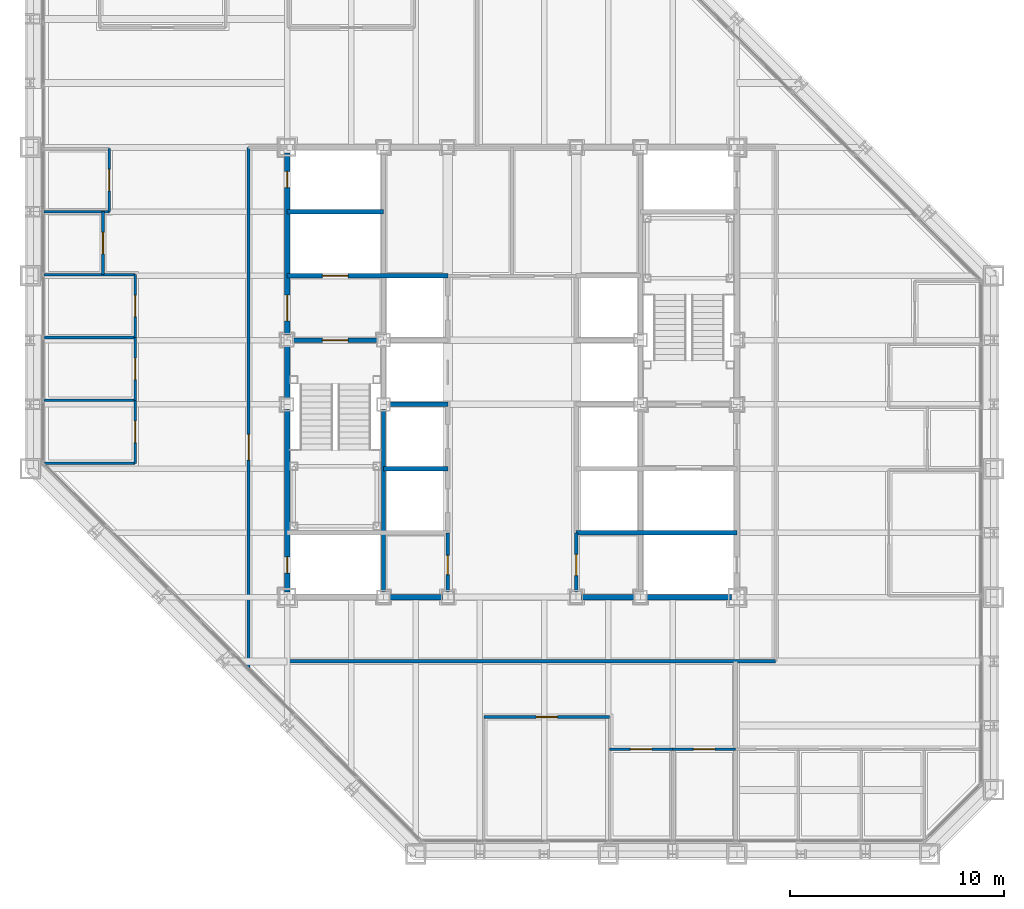
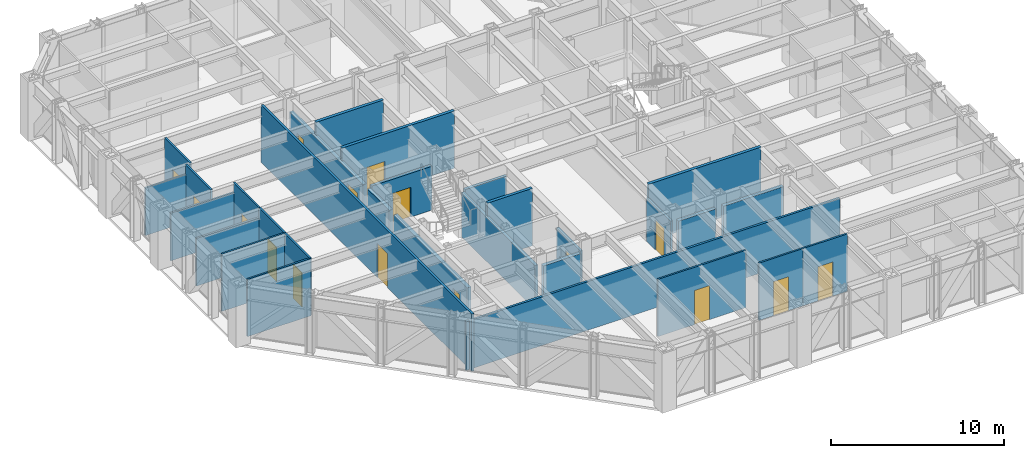
# One storey, part 10 of 16: 30 walls, 16 doors, 16 openings.
"""IFC4 building model written with IfcOpenShell, lengths in metres."""

from ifc_helpers import new_model, si_unit, direction, frame, frame_2d, origin, place, context, subcontext, project, spatial, rectangle, extrude, material, layer, layer_set, type_object, element, fill, save


model = new_model("IFC4")

# Units and contexts
model_context = context("Model", 3, precision=1e-05, world=origin(), true_north=direction((0.0, 1.0)))
body_context = subcontext(model_context, "Body", "Model", "MODEL_VIEW")
ifc_project = project(units=[si_unit("LENGTHUNIT", "METRE"), si_unit("AREAUNIT", "SQUARE_METRE"), si_unit("VOLUMEUNIT", "CUBIC_METRE"), si_unit("PLANEANGLEUNIT", "RADIAN"), si_unit("MASSUNIT", "GRAM", prefix="KILO")], contexts=[model_context])

# Site, building, storey
site_placement = place(None, origin())
site = spatial("IfcSite", under=ifc_project, at=site_placement, CompositionType="ELEMENT")
building_placement = place(site_placement, origin())
building = spatial("IfcBuilding", under=site, at=building_placement, Name="Chuquiago Exchange Tower", CompositionType="ELEMENT")
storey_placement = place(building_placement, frame((0.0, 0.0, 153.0)))
storey = spatial("IfcBuildingStorey", under=building, at=storey_placement, Name="L33", CompositionType="ELEMENT", Elevation=153.0)

# Wall, opening, door
ifc_material_1 = material(Name="Concrete masonry, fully grouted", Category="masonry")
ifc_layer_1 = layer(ifc_material_1, 0.25)
ifc_layer_set_1 = layer_set([ifc_layer_1], Name="W1 core wall 250")
wall_type_1 = type_object("IfcWallType", Name="W1 core wall 250", PredefinedType="SOLIDWALL", material=ifc_layer_set_1)
wall_1_placement = place(storey_placement, frame((12.0, 12.25, 0.0), z_axis=(0.0, 0.0, 1.0), x_axis=(0.0, 1.0, 0.0)))
wall_1 = element("IfcWall", 1, at=wall_1_placement, inside=storey, type_object=wall_type_1, Name="CW-L33-00-0", PredefinedType="SOLIDWALL", context=body_context, shape_type="SweptSolid", body=[
    extrude(rectangle(XDim=8.5, YDim=0.25, at=frame_2d((4.25, 0.0))), origin(), (0.0, 0.0, 1.0), 3.11279296875),
])
opening_1_placement = place(wall_1_placement, frame((0.875, 0.0, 0.0)))
opening_1 = element("IfcOpeningElement", 2, at=opening_1_placement, cuts=wall_1, Name="Opening L33-007", PredefinedType="OPENING", context=body_context, shape_type="SweptSolid", body=[
    extrude(rectangle(XDim=0.75, YDim=2.10009765625, at=frame_2d((0.375, 1.050048828125))), frame((0.0, 0.135009765625, 0.0), z_axis=(0.0, -1.0, 0.0), x_axis=(1.0, 0.0, 0.0)), (0.0, 0.0, 1.0), 0.27001953125),
])
ifc_material_2 = material(Name="Steel door, painted", Category="steel")
door_type_1 = type_object("IfcDoorType", Name="D6 riser access door 750x2100", OperationType="SINGLE_SWING_LEFT", PredefinedType="DOOR", material=ifc_material_2)
door_1_placement = place(opening_1_placement, frame((0.75, 0.0, 0.0), z_axis=(0.0, 0.0, 1.0), x_axis=(-1.0, 0.0, 0.0)))
door_1 = element("IfcDoor", 3, at=door_1_placement, inside=storey, type_object=door_type_1, Name="Riser RW1 door", OperationType="SINGLE_SWING_RIGHT", OverallHeight=2.10009765625, OverallWidth=0.75, PredefinedType="DOOR", context=body_context, shape_type="SweptSolid", body=[
    extrude(rectangle(XDim=0.75, YDim=2.10009765625, at=frame_2d((0.375, 1.050048828125))), frame((0.0, 0.02490234375, 0.0), z_axis=(0.0, -1.0, 0.0), x_axis=(1.0, 0.0, 0.0)), (0.0, 0.0, 1.0), 0.050048828125),
])
fill(opening_1, door_1)

# Wall
wall_2_placement = place(storey_placement, frame((12.0, 21.25, 0.0), z_axis=(0.0, 0.0, 1.0), x_axis=(0.0, 1.0, 0.0)))
element("IfcWall", 4, at=wall_2_placement, inside=storey, type_object=wall_type_1, Name="CW-L33-00-1", PredefinedType="SOLIDWALL", context=body_context, shape_type="SweptSolid", body=[
    extrude(rectangle(XDim=2.5, YDim=0.25, at=frame_2d((1.25, 0.0))), origin(), (0.0, 0.0, 1.0), 3.11279296875),
])

# Wall, openings, doors
wall_3_placement = place(storey_placement, frame((12.0, 24.25, 0.0), z_axis=(0.0, 0.0, 1.0), x_axis=(0.0, 1.0, 0.0)))
wall_3 = element("IfcWall", 5, at=wall_3_placement, inside=storey, type_object=wall_type_1, Name="CW-L33-00-2", PredefinedType="SOLIDWALL", context=body_context, shape_type="SweptSolid", body=[
    extrude(rectangle(XDim=8.5, YDim=0.25, at=frame_2d((4.25, 0.0))), origin(), (0.0, 0.0, 1.0), 3.11279296875),
])
opening_2_placement = place(wall_3_placement, frame((0.64990234375, 0.0, 0.0)))
opening_2 = element("IfcOpeningElement", 6, at=opening_2_placement, cuts=wall_3, Name="Opening L33-002", PredefinedType="OPENING", context=body_context, shape_type="SweptSolid", body=[
    extrude(rectangle(XDim=1.199951171875, YDim=2.10009765625, at=frame_2d((0.60009765625, 1.050048828125))), frame((0.0, 0.135009765625, 0.0), z_axis=(0.0, -1.0, 0.0), x_axis=(1.0, 0.0, 0.0)), (0.0, 0.0, 1.0), 0.27001953125),
])
opening_3_placement = place(wall_3_placement, frame((6.875, 0.0, 0.0)))
opening_3 = element("IfcOpeningElement", 7, at=opening_3_placement, cuts=wall_3, Name="Opening L33-008", PredefinedType="OPENING", context=body_context, shape_type="SweptSolid", body=[
    extrude(rectangle(XDim=0.75, YDim=2.10009765625, at=frame_2d((0.375, 1.050048828125))), frame((0.0, 0.135009765625, 0.0), z_axis=(0.0, -1.0, 0.0), x_axis=(1.0, 0.0, 0.0)), (0.0, 0.0, 1.0), 0.27001953125),
])
ifc_material_3 = material(Name="Steel door, painted", Category="steel")
door_type_2 = type_object("IfcDoorType", Name="D5 firefighting lobby door 1200x2100", OperationType="SINGLE_SWING_LEFT", PredefinedType="DOOR", material=ifc_material_3)
door_2_placement = place(opening_2_placement, frame((1.199951171875, 0.0, 0.0), z_axis=(0.0, 0.0, 1.0), x_axis=(-1.0, 0.0, 0.0)))
door_2 = element("IfcDoor", 8, at=door_2_placement, inside=storey, type_object=door_type_2, Name="Firefighting lobby 1 door", OperationType="SINGLE_SWING_RIGHT", OverallHeight=2.10009765625, OverallWidth=1.199951171875, PredefinedType="DOOR", context=body_context, shape_type="SweptSolid", body=[
    extrude(rectangle(XDim=1.199951171875, YDim=2.10009765625, at=frame_2d((0.60009765625, 1.050048828125))), frame((0.0, 0.02490234375, 0.0), z_axis=(0.0, -1.0, 0.0), x_axis=(1.0, 0.0, 0.0)), (0.0, 0.0, 1.0), 0.050048828125),
])
fill(opening_2, door_2)
door_3_placement = place(opening_3_placement, frame((0.75, 0.0, 0.0), z_axis=(0.0, 0.0, 1.0), x_axis=(-1.0, 0.0, 0.0)))
door_3 = element("IfcDoor", 9, at=door_3_placement, inside=storey, type_object=door_type_1, Name="Riser RW2 door", OperationType="SINGLE_SWING_LEFT", OverallHeight=2.10009765625, OverallWidth=0.75, PredefinedType="DOOR", context=body_context, shape_type="SweptSolid", body=[
    extrude(rectangle(XDim=0.75, YDim=2.10009765625, at=frame_2d((0.375, 1.050048828125))), frame((0.0, 0.02490234375, 0.0), z_axis=(0.0, -1.0, 0.0), x_axis=(1.0, 0.0, 0.0)), (0.0, 0.0, 1.0), 0.050048828125),
])
fill(opening_3, door_3)

# Walls
for number, where, z_axis, x_axis, name in (
    (10, (16.75, 12.0, 0.0), (0.0, 0.0, 1.0), (1.0, 0.0, 0.0), "CW-L33-01-1"),
    (11, (25.75, 12.0, 0.0), (0.0, 0.0, 1.0), (1.0, 0.0, 0.0), "CW-L33-02-0"),
):
    element("IfcWall", number, at=place(storey_placement, frame(where, z_axis=z_axis, x_axis=x_axis)), inside=storey, type_object=wall_type_1, Name=name, PredefinedType="SOLIDWALL", context=body_context, shape_type="SweptSolid", body=[
        extrude(rectangle(XDim=2.5, YDim=0.25, at=frame_2d((1.25, 0.0))), origin(), (0.0, 0.0, 1.0), 3.181396484375),
    ])
wall_4_placement = place(storey_placement, frame((28.75, 12.0, 0.0), z_axis=(0.0, 0.0, 1.0), x_axis=(1.0, 0.0, 0.0)))
element("IfcWall", 12, at=wall_4_placement, inside=storey, type_object=wall_type_1, Name="CW-L33-02-1", PredefinedType="SOLIDWALL", context=body_context, shape_type="SweptSolid", body=[
    extrude(rectangle(XDim=4.0, YDim=0.25, at=frame_2d((2.0, 0.0))), origin(), (0.0, 0.0, 1.0), 3.181396484375),
])
ifc_material_4 = material(Name="Gypsum board on steel studs, acoustic insulation", Category="steel")
ifc_layer_2 = layer(ifc_material_4, 0.14990234375)
ifc_layer_set_2 = layer_set([ifc_layer_2], Name="W11 corridor wall 150")
wall_type_2 = type_object("IfcWallType", Name="W11 corridor wall 150", PredefinedType="PARTITIONING", material=ifc_layer_set_2)
wall_5_placement = place(storey_placement, frame((9.885498046875, 9.0, 0.0), z_axis=(0.0, 0.0, 1.0), x_axis=(1.0, 0.0, 0.0)))
element("IfcWall", 13, at=wall_5_placement, inside=storey, type_object=wall_type_2, Name="PW-L33-CS", PredefinedType="PARTITIONING", context=body_context, shape_type="SweptSolid", body=[
    extrude(rectangle(XDim=24.91455078125, YDim=0.14990234375, at=frame_2d((12.457275390625, 0.0))), origin(), (0.0, 0.0, 1.0), 3.427734375),
])

# Wall, opening, door
wall_6_placement = place(storey_placement, frame((10.199951171875, 8.685546875, 0.0), z_axis=(0.0, 0.0, 1.0), x_axis=(0.0, 1.0, 0.0)))
wall_6 = element("IfcWall", 14, at=wall_6_placement, inside=storey, type_object=wall_type_2, Name="PW-L33-CW", PredefinedType="PARTITIONING", context=body_context, shape_type="SweptSolid", body=[
    extrude(rectangle(XDim=24.314453125, YDim=0.14990234375, at=frame_2d((12.1572265625, 0.0))), origin(), (0.0, 0.0, 1.0), 4.0400390625),
])
opening_4_placement = place(wall_6_placement, frame((9.714599609375, 0.0, 0.0)))
opening_4 = element("IfcOpeningElement", 15, at=opening_4_placement, cuts=wall_6, Name="Opening L33-040", PredefinedType="OPENING", context=body_context, shape_type="SweptSolid", body=[
    extrude(rectangle(XDim=1.199951171875, YDim=2.39990234375, at=frame_2d((0.60009765625, 1.199951171875))), frame((0.0, 0.0849609375, 0.0), z_axis=(0.0, -1.0, 0.0), x_axis=(1.0, 0.0, 0.0)), (0.0, 0.0, 1.0), 0.169921875),
])
ifc_material_5 = material(Name="Timber door, laminate faced", Category="wood")
door_type_3 = type_object("IfcDoorType", Name="D13 suite entrance door 1200x2400", OperationType="SINGLE_SWING_LEFT", PredefinedType="DOOR", material=ifc_material_5)
door_4_placement = place(opening_4_placement, origin())
door_4 = element("IfcDoor", 16, at=door_4_placement, inside=storey, type_object=door_type_3, Name="West suite entrance door", OperationType="SINGLE_SWING_LEFT", OverallHeight=2.39990234375, OverallWidth=1.199951171875, PredefinedType="DOOR", context=body_context, shape_type="SweptSolid", body=[
    extrude(rectangle(XDim=1.199951171875, YDim=2.39990234375, at=frame_2d((0.60009765625, 1.199951171875))), frame((0.0, 0.02490234375, 0.0), z_axis=(0.0, -1.0, 0.0), x_axis=(1.0, 0.0, 0.0)), (0.0, 0.0, 1.0), 0.050048828125),
])
fill(opening_4, door_4)

# Wall
ifc_material_6 = material(Name="Concrete masonry, fully grouted", Category="masonry")
ifc_layer_3 = layer(ifc_material_6, 0.199951171875)
ifc_layer_set_3 = layer_set([ifc_layer_3], Name="W2 shaft wall 200")
wall_type_3 = type_object("IfcWallType", Name="W2 shaft wall 200", PredefinedType="SOLIDWALL", material=ifc_layer_set_3)
wall_7_placement = place(storey_placement, frame((25.5, 15.0, 0.0), z_axis=(0.0, 0.0, 1.0), x_axis=(1.0, 0.0, 0.0)))
element("IfcWall", 17, at=wall_7_placement, inside=storey, type_object=wall_type_3, Name="CW-L33-04-0", PredefinedType="SOLIDWALL", context=body_context, shape_type="SweptSolid", body=[
    extrude(rectangle(XDim=7.5, YDim=0.199951171875, at=frame_2d((3.75, 0.0))), origin(), (0.0, 0.0, 1.0), 4.0400390625),
])

# Wall, opening, door
wall_8_placement = place(storey_placement, frame((12.25, 24.0, 0.0), z_axis=(0.0, 0.0, 1.0), x_axis=(1.0, 0.0, 0.0)))
wall_8 = element("IfcWall", 18, at=wall_8_placement, inside=storey, type_object=wall_type_3, Name="CW-L33-05-0", PredefinedType="SOLIDWALL", context=body_context, shape_type="SweptSolid", body=[
    extrude(rectangle(XDim=4.0, YDim=0.199951171875, at=frame_2d((2.0, 0.0))), origin(), (0.0, 0.0, 1.0), 3.090087890625),
])
opening_5_placement = place(wall_8_placement, frame((1.39990234375, 0.0, 0.0)))
opening_5 = element("IfcOpeningElement", 19, at=opening_5_placement, cuts=wall_8, Name="Opening L33-001", PredefinedType="OPENING", context=body_context, shape_type="SweptSolid", body=[
    extrude(rectangle(XDim=1.199951171875, YDim=2.10009765625, at=frame_2d((0.60009765625, 1.050048828125))), frame((0.0, 0.10986328125, 0.0), z_axis=(0.0, -1.0, 0.0), x_axis=(1.0, 0.0, 0.0)), (0.0, 0.0, 1.0), 0.219970703125),
])
ifc_material_7 = material(Name="Steel door, painted", Category="steel")
door_type_4 = type_object("IfcDoorType", Name="D4 stair door 1200x2100", OperationType="SINGLE_SWING_LEFT", PredefinedType="DOOR", material=ifc_material_7)
door_5_placement = place(opening_5_placement, frame((1.199951171875, 0.0, 0.0), z_axis=(0.0, 0.0, 1.0), x_axis=(-1.0, 0.0, 0.0)))
door_5 = element("IfcDoor", 20, at=door_5_placement, inside=storey, type_object=door_type_4, Name="Stair ST1 door", OperationType="SINGLE_SWING_RIGHT", OverallHeight=2.10009765625, OverallWidth=1.199951171875, PredefinedType="DOOR", context=body_context, shape_type="SweptSolid", body=[
    extrude(rectangle(XDim=1.199951171875, YDim=2.10009765625, at=frame_2d((0.60009765625, 1.050048828125))), frame((0.0, 0.02490234375, 0.0), z_axis=(0.0, -1.0, 0.0), x_axis=(1.0, 0.0, 0.0)), (0.0, 0.0, 1.0), 0.050048828125),
])
fill(opening_5, door_5)

wall_9_placement = place(storey_placement, frame((12.0, 27.0, 0.0), z_axis=(0.0, 0.0, 1.0), x_axis=(1.0, 0.0, 0.0)))
wall_9 = element("IfcWall", 21, at=wall_9_placement, inside=storey, type_object=wall_type_3, Name="CW-L33-07-0", PredefinedType="SOLIDWALL", context=body_context, shape_type="SweptSolid", body=[
    extrude(rectangle(XDim=7.5, YDim=0.199951171875, at=frame_2d((3.75, 0.0))), origin(), (0.0, 0.0, 1.0), 4.0400390625),
])
opening_6_placement = place(wall_9_placement, frame((1.64990234375, 0.0, 0.0)))
opening_6 = element("IfcOpeningElement", 22, at=opening_6_placement, cuts=wall_9, Name="Opening L33-005", PredefinedType="OPENING", context=body_context, shape_type="SweptSolid", body=[
    extrude(rectangle(XDim=1.199951171875, YDim=2.10009765625, at=frame_2d((0.60009765625, 1.050048828125))), frame((0.0, 0.10986328125, 0.0), z_axis=(0.0, -1.0, 0.0), x_axis=(1.0, 0.0, 0.0)), (0.0, 0.0, 1.0), 0.219970703125),
])
ifc_material_8 = material(Name="Stainless steel lift landing door", Category="steel")
door_type_5 = type_object("IfcDoorType", Name="LD2 firefighting lift landing door 1200x2100", OperationType="DOUBLE_DOOR_SLIDING", PredefinedType="DOOR", material=ifc_material_8)
door_6_placement = place(opening_6_placement, origin())
door_6 = element("IfcDoor", 23, at=door_6_placement, inside=storey, type_object=door_type_5, Name="Firefighting lift FL1 landing door", OperationType="DOUBLE_DOOR_SLIDING", OverallHeight=2.10009765625, OverallWidth=1.199951171875, PredefinedType="DOOR", context=body_context, shape_type="SweptSolid", body=[
    extrude(rectangle(XDim=1.199951171875, YDim=2.10009765625, at=frame_2d((0.60009765625, 1.050048828125))), frame((0.0, 0.02490234375, 0.0), z_axis=(0.0, -1.0, 0.0), x_axis=(1.0, 0.0, 0.0)), (0.0, 0.0, 1.0), 0.050048828125),
])
fill(opening_6, door_6)

# Walls
wall_10_placement = place(storey_placement, frame((12.0, 30.0, 0.0), z_axis=(0.0, 0.0, 1.0), x_axis=(1.0, 0.0, 0.0)))
element("IfcWall", 24, at=wall_10_placement, inside=storey, type_object=wall_type_3, Name="CW-L33-09-0", PredefinedType="SOLIDWALL", context=body_context, shape_type="SweptSolid", body=[
    extrude(rectangle(XDim=4.5, YDim=0.199951171875, at=frame_2d((2.25, 0.0))), origin(), (0.0, 0.0, 1.0), 4.0400390625),
])
wall_11_placement = place(storey_placement, frame((16.5, 12.25, 0.0), z_axis=(0.0, 0.0, 1.0), x_axis=(0.0, 1.0, 0.0)))
element("IfcWall", 25, at=wall_11_placement, inside=storey, type_object=wall_type_3, Name="CW-L33-13-0", PredefinedType="SOLIDWALL", context=body_context, shape_type="SweptSolid", body=[
    extrude(rectangle(XDim=8.5, YDim=0.199951171875, at=frame_2d((4.25, 0.0))), origin(), (0.0, 0.0, 1.0), 3.11279296875),
])
wall_12_placement = place(storey_placement, frame((16.5, 18.0, 0.0), z_axis=(0.0, 0.0, 1.0), x_axis=(1.0, 0.0, 0.0)))
element("IfcWall", 26, at=wall_12_placement, inside=storey, type_object=wall_type_3, Name="CW-L33-14-0", PredefinedType="SOLIDWALL", context=body_context, shape_type="SweptSolid", body=[
    extrude(rectangle(XDim=3.0, YDim=0.199951171875, at=frame_2d((1.5, 0.0))), origin(), (0.0, 0.0, 1.0), 4.0400390625),
])
wall_13_placement = place(storey_placement, frame((16.75, 21.0, 0.0), z_axis=(0.0, 0.0, 1.0), x_axis=(1.0, 0.0, 0.0)))
element("IfcWall", 27, at=wall_13_placement, inside=storey, type_object=wall_type_3, Name="CW-L33-16-0", PredefinedType="SOLIDWALL", context=body_context, shape_type="SweptSolid", body=[
    extrude(rectangle(XDim=2.75, YDim=0.199951171875, at=frame_2d((1.375, 0.0))), origin(), (0.0, 0.0, 1.0), 3.090087890625),
])

# Wall, opening, door
ifc_material_9 = material(Name="Gypsum board on steel studs", Category="steel")
ifc_layer_4 = layer(ifc_material_9, 0.14990234375)
ifc_layer_set_4 = layer_set([ifc_layer_4], Name="W3 core partition 150")
wall_type_4 = type_object("IfcWallType", Name="W3 core partition 150", PredefinedType="PARTITIONING", material=ifc_layer_set_4)
wall_14_placement = place(storey_placement, frame((19.5, 12.25, 0.0), z_axis=(0.0, 0.0, 1.0), x_axis=(0.0, 1.0, 0.0)))
wall_14 = element("IfcWall", 28, at=wall_14_placement, inside=storey, type_object=wall_type_4, Name="CW-L33-18-0", PredefinedType="PARTITIONING", context=body_context, shape_type="SweptSolid", body=[
    extrude(rectangle(XDim=2.75, YDim=0.14990234375, at=frame_2d((1.375, 0.0))), origin(), (0.0, 0.0, 1.0), 3.064697265625),
])
opening_7_placement = place(wall_14_placement, frame((0.800048828125, 0.0, 0.0)))
opening_7 = element("IfcOpeningElement", 29, at=opening_7_placement, cuts=wall_14, Name="Opening L33-014", PredefinedType="OPENING", context=body_context, shape_type="SweptSolid", body=[
    extrude(rectangle(XDim=0.89990234375, YDim=2.10009765625, at=frame_2d((0.449951171875, 1.050048828125))), frame((0.0, 0.0849609375, 0.0), z_axis=(0.0, -1.0, 0.0), x_axis=(1.0, 0.0, 0.0)), (0.0, 0.0, 1.0), 0.169921875),
])
ifc_material_10 = material(Name="Timber door, laminate faced", Category="wood")
door_type_6 = type_object("IfcDoorType", Name="D7 toilet door 900x2100", OperationType="SINGLE_SWING_LEFT", PredefinedType="DOOR", material=ifc_material_10)
door_7_placement = place(opening_7_placement, frame((0.89990234375, 0.0, 0.0), z_axis=(0.0, 0.0, 1.0), x_axis=(-1.0, 0.0, 0.0)))
door_7 = element("IfcDoor", 30, at=door_7_placement, inside=storey, type_object=door_type_6, Name="Cleaner door", OperationType="SINGLE_SWING_RIGHT", OverallHeight=2.10009765625, OverallWidth=0.89990234375, PredefinedType="DOOR", context=body_context, shape_type="SweptSolid", body=[
    extrude(rectangle(XDim=0.89990234375, YDim=2.10009765625, at=frame_2d((0.449951171875, 1.050048828125))), frame((0.0, 0.02490234375, 0.0), z_axis=(0.0, -1.0, 0.0), x_axis=(1.0, 0.0, 0.0)), (0.0, 0.0, 1.0), 0.050048828125),
])
fill(opening_7, door_7)

wall_15_placement = place(storey_placement, frame((25.5, 12.25, 0.0), z_axis=(0.0, 0.0, 1.0), x_axis=(0.0, 1.0, 0.0)))
wall_15 = element("IfcWall", 31, at=wall_15_placement, inside=storey, type_object=wall_type_4, Name="CW-L33-21-0", PredefinedType="PARTITIONING", context=body_context, shape_type="SweptSolid", body=[
    extrude(rectangle(XDim=2.75, YDim=0.14990234375, at=frame_2d((1.375, 0.0))), origin(), (0.0, 0.0, 1.0), 3.064697265625),
])
opening_8_placement = place(wall_15_placement, frame((0.75, 0.0, 0.0)))
opening_8 = element("IfcOpeningElement", 32, at=opening_8_placement, cuts=wall_15, Name="Opening L33-013", PredefinedType="OPENING", context=body_context, shape_type="SweptSolid", body=[
    extrude(rectangle(XDim=1.0, YDim=2.10009765625, at=frame_2d((0.5, 1.050048828125))), frame((0.0, 0.0849609375, 0.0), z_axis=(0.0, -1.0, 0.0), x_axis=(1.0, 0.0, 0.0)), (0.0, 0.0, 1.0), 0.169921875),
])
ifc_material_11 = material(Name="Timber door, laminate faced", Category="wood")
door_type_7 = type_object("IfcDoorType", Name="D8 accessible toilet door 1000x2100", OperationType="SLIDING_TO_LEFT", PredefinedType="DOOR", material=ifc_material_11)
door_8_placement = place(opening_8_placement, origin())
door_8 = element("IfcDoor", 33, at=door_8_placement, inside=storey, type_object=door_type_7, Name="Accessible WC door", OperationType="SLIDING_TO_LEFT", OverallHeight=2.10009765625, OverallWidth=1.0, PredefinedType="DOOR", context=body_context, shape_type="SweptSolid", body=[
    extrude(rectangle(XDim=1.0, YDim=2.10009765625, at=frame_2d((0.5, 1.050048828125))), frame((0.0, 0.02490234375, 0.0), z_axis=(0.0, -1.0, 0.0), x_axis=(1.0, 0.0, 0.0)), (0.0, 0.0, 1.0), 0.050048828125),
])
fill(opening_8, door_8)

ifc_material_12 = material(Name="Gypsum board on steel studs", Category="steel")
ifc_layer_5 = layer(ifc_material_12, 0.1201171875)
ifc_layer_set_5 = layer_set([ifc_layer_5], Name="W4 partition 120")
wall_type_5 = type_object("IfcWallType", Name="W4 partition 120", PredefinedType="PARTITIONING", material=ifc_layer_set_5)
wall_16_placement = place(storey_placement, frame((21.186279296875, 6.39990234375, 0.0), z_axis=(0.0, 0.0, 1.0), x_axis=(1.0, 0.0, 0.0)))
wall_16 = element("IfcWall", 34, at=wall_16_placement, inside=storey, type_object=wall_type_5, Name="PW-L33-SF02119", PredefinedType="PARTITIONING", context=body_context, shape_type="SweptSolid", body=[
    extrude(rectangle(XDim=5.875732421875, YDim=0.1201171875, at=frame_2d((2.93798828125, 0.0))), origin(), (0.0, 0.0, 1.0), 4.0400390625),
])
opening_9_placement = place(wall_16_placement, frame((2.43798828125, 0.0, 0.0)))
opening_9 = element("IfcOpeningElement", 35, at=opening_9_placement, cuts=wall_16, Name="Opening L33-019", PredefinedType="OPENING", context=body_context, shape_type="SweptSolid", body=[
    extrude(rectangle(XDim=1.0, YDim=2.39990234375, at=frame_2d((0.5, 1.199951171875))), frame((0.0, 0.070068359375, 0.0), z_axis=(0.0, -1.0, 0.0), x_axis=(1.0, 0.0, 0.0)), (0.0, 0.0, 1.0), 0.14013671875),
])
ifc_material_13 = material(Name="Timber door, laminate faced", Category="wood")
door_type_8 = type_object("IfcDoorType", Name="D9 room door 1000x2400", OperationType="SINGLE_SWING_LEFT", PredefinedType="DOOR", material=ifc_material_13)
door_9_placement = place(opening_9_placement, frame((1.0, 0.0, 0.0), z_axis=(0.0, 0.0, 1.0), x_axis=(-1.0, 0.0, 0.0)))
door_9 = element("IfcDoor", 36, at=door_9_placement, inside=storey, type_object=door_type_8, Name="Investor relations office door", OperationType="SINGLE_SWING_LEFT", OverallHeight=2.39990234375, OverallWidth=1.0, PredefinedType="DOOR", context=body_context, shape_type="SweptSolid", body=[
    extrude(rectangle(XDim=1.0, YDim=2.39990234375, at=frame_2d((0.5, 1.199951171875))), frame((0.0, 0.02490234375, 0.0), z_axis=(0.0, -1.0, 0.0), x_axis=(1.0, 0.0, 0.0)), (0.0, 0.0, 1.0), 0.050048828125),
])
fill(opening_9, door_9)

wall_17_placement = place(storey_placement, frame((27.06201171875, 4.89990234375, 0.0), z_axis=(0.0, 0.0, 1.0), x_axis=(1.0, 0.0, 0.0)))
wall_17 = element("IfcWall", 37, at=wall_17_placement, inside=storey, type_object=wall_type_5, Name="PW-L33-SF02706", PredefinedType="PARTITIONING", context=body_context, shape_type="SweptSolid", body=[
    extrude(rectangle(XDim=2.93798828125, YDim=0.1201171875, at=frame_2d((1.468994140625, 0.0))), origin(), (0.0, 0.0, 1.0), 4.0400390625),
])
opening_10_placement = place(wall_17_placement, frame((0.968994140625, 0.0, 0.0)))
opening_10 = element("IfcOpeningElement", 38, at=opening_10_placement, cuts=wall_17, Name="Opening L33-020", PredefinedType="OPENING", context=body_context, shape_type="SweptSolid", body=[
    extrude(rectangle(XDim=1.0, YDim=2.39990234375, at=frame_2d((0.5, 1.199951171875))), frame((0.0, 0.070068359375, 0.0), z_axis=(0.0, -1.0, 0.0), x_axis=(1.0, 0.0, 0.0)), (0.0, 0.0, 1.0), 0.14013671875),
])
door_10_placement = place(opening_10_placement, frame((1.0, 0.0, 0.0), z_axis=(0.0, 0.0, 1.0), x_axis=(-1.0, 0.0, 0.0)))
door_10 = element("IfcDoor", 39, at=door_10_placement, inside=storey, type_object=door_type_8, Name="Office door", OperationType="SINGLE_SWING_RIGHT", OverallHeight=2.39990234375, OverallWidth=1.0, PredefinedType="DOOR", context=body_context, shape_type="SweptSolid", body=[
    extrude(rectangle(XDim=1.0, YDim=2.39990234375, at=frame_2d((0.5, 1.199951171875))), frame((0.0, 0.02490234375, 0.0), z_axis=(0.0, -1.0, 0.0), x_axis=(1.0, 0.0, 0.0)), (0.0, 0.0, 1.0), 0.050048828125),
])
fill(opening_10, door_10)

wall_18_placement = place(storey_placement, frame((30.0, 4.89990234375, 0.0), z_axis=(0.0, 0.0, 1.0), x_axis=(1.0, 0.0, 0.0)))
wall_18 = element("IfcWall", 40, at=wall_18_placement, inside=storey, type_object=wall_type_5, Name="PW-L33-SF03000", PredefinedType="PARTITIONING", context=body_context, shape_type="SweptSolid", body=[
    extrude(rectangle(XDim=2.93798828125, YDim=0.1201171875, at=frame_2d((1.468994140625, 0.0))), origin(), (0.0, 0.0, 1.0), 4.0400390625),
])
opening_11_placement = place(wall_18_placement, frame((0.968994140625, 0.0, 0.0)))
opening_11 = element("IfcOpeningElement", 41, at=opening_11_placement, cuts=wall_18, Name="Opening L33-021", PredefinedType="OPENING", context=body_context, shape_type="SweptSolid", body=[
    extrude(rectangle(XDim=1.0, YDim=2.39990234375, at=frame_2d((0.5, 1.199951171875))), frame((0.0, 0.070068359375, 0.0), z_axis=(0.0, -1.0, 0.0), x_axis=(1.0, 0.0, 0.0)), (0.0, 0.0, 1.0), 0.14013671875),
])
door_11_placement = place(opening_11_placement, frame((1.0, 0.0, 0.0), z_axis=(0.0, 0.0, 1.0), x_axis=(-1.0, 0.0, 0.0)))
door_11 = element("IfcDoor", 42, at=door_11_placement, inside=storey, type_object=door_type_8, Name="Office door", OperationType="SINGLE_SWING_LEFT", OverallHeight=2.39990234375, OverallWidth=1.0, PredefinedType="DOOR", context=body_context, shape_type="SweptSolid", body=[
    extrude(rectangle(XDim=1.0, YDim=2.39990234375, at=frame_2d((0.5, 1.199951171875))), frame((0.0, 0.02490234375, 0.0), z_axis=(0.0, -1.0, 0.0), x_axis=(1.0, 0.0, 0.0)), (0.0, 0.0, 1.0), 0.050048828125),
])
fill(opening_11, door_11)

# Walls
wall_19_placement = place(storey_placement, frame((0.666015625, 18.24853515625, 0.0), z_axis=(0.0, 0.0, 1.0), x_axis=(1.0, 0.0, 0.0)))
element("IfcWall", 43, at=wall_19_placement, inside=storey, type_object=wall_type_5, Name="PW-L33-W01825", PredefinedType="PARTITIONING", context=body_context, shape_type="SweptSolid", body=[
    extrude(rectangle(XDim=4.23388671875, YDim=0.1201171875, at=frame_2d((2.116943359375, 0.0))), origin(), (0.0, 0.0, 1.0), 4.0400390625),
])
wall_20_placement = place(storey_placement, frame((0.652587890625, 21.186279296875, 0.0), z_axis=(0.0, 0.0, 1.0), x_axis=(1.0, 0.0, 0.0)))
element("IfcWall", 44, at=wall_20_placement, inside=storey, type_object=wall_type_5, Name="PW-L33-W02119", PredefinedType="PARTITIONING", context=body_context, shape_type="SweptSolid", body=[
    extrude(rectangle(XDim=4.247314453125, YDim=0.1201171875, at=frame_2d((2.12353515625, 0.0))), origin(), (0.0, 0.0, 1.0), 4.0400390625),
])
for number, where, z_axis, x_axis, name in (
    (45, (0.652587890625, 24.124267578125, 0.0), (0.0, 0.0, 1.0), (1.0, 0.0, 0.0), "PW-L33-W02412"),
    (46, (0.652587890625, 27.06201171875, 0.0), (0.0, 0.0, 1.0), (1.0, 0.0, 0.0), "PW-L33-W02706"),
):
    element("IfcWall", number, at=place(storey_placement, frame(where, z_axis=z_axis, x_axis=x_axis)), inside=storey, type_object=wall_type_5, Name=name, PredefinedType="PARTITIONING", context=body_context, shape_type="SweptSolid", body=[
        extrude(rectangle(XDim=4.247314453125, YDim=0.1201171875, at=frame_2d((2.12353515625, 0.0))), origin(), (0.0, 0.0, 1.0), 3.356689453125),
    ])
wall_21_placement = place(storey_placement, frame((0.652587890625, 30.0, 0.0), z_axis=(0.0, 0.0, 1.0), x_axis=(1.0, 0.0, 0.0)))
element("IfcWall", 47, at=wall_21_placement, inside=storey, type_object=wall_type_5, Name="PW-L33-W03000", PredefinedType="PARTITIONING", context=body_context, shape_type="SweptSolid", body=[
    extrude(rectangle(XDim=3.04736328125, YDim=0.1201171875, at=frame_2d((1.523681640625, 0.0))), origin(), (0.0, 0.0, 1.0), 3.356689453125),
])

# Wall, opening, door
wall_22_placement = place(storey_placement, frame((4.89990234375, 18.24853515625, 0.0), z_axis=(0.0, 0.0, 1.0), x_axis=(0.0, 1.0, 0.0)))
wall_22 = element("IfcWall", 48, at=wall_22_placement, inside=storey, type_object=wall_type_5, Name="PW-L33-WF01825", PredefinedType="PARTITIONING", context=body_context, shape_type="SweptSolid", body=[
    extrude(rectangle(XDim=2.937744140625, YDim=0.1201171875, at=frame_2d((1.46875, 0.0))), origin(), (0.0, 0.0, 1.0), 4.0400390625),
])
opening_12_placement = place(wall_22_placement, frame((0.968994140625, 0.0, 0.0)))
opening_12 = element("IfcOpeningElement", 49, at=opening_12_placement, cuts=wall_22, Name="Opening L33-035", PredefinedType="OPENING", context=body_context, shape_type="SweptSolid", body=[
    extrude(rectangle(XDim=1.0, YDim=2.39990234375, at=frame_2d((0.5, 1.199951171875))), frame((0.0, 0.070068359375, 0.0), z_axis=(0.0, -1.0, 0.0), x_axis=(1.0, 0.0, 0.0)), (0.0, 0.0, 1.0), 0.14013671875),
])
door_12_placement = place(opening_12_placement, origin())
door_12 = element("IfcDoor", 50, at=door_12_placement, inside=storey, type_object=door_type_8, Name="Office door", OperationType="SINGLE_SWING_LEFT", OverallHeight=2.39990234375, OverallWidth=1.0, PredefinedType="DOOR", context=body_context, shape_type="SweptSolid", body=[
    extrude(rectangle(XDim=1.0, YDim=2.39990234375, at=frame_2d((0.5, 1.199951171875))), frame((0.0, 0.02490234375, 0.0), z_axis=(0.0, -1.0, 0.0), x_axis=(1.0, 0.0, 0.0)), (0.0, 0.0, 1.0), 0.050048828125),
])
fill(opening_12, door_12)

wall_23_placement = place(storey_placement, frame((4.89990234375, 21.186279296875, 0.0), z_axis=(0.0, 0.0, 1.0), x_axis=(0.0, 1.0, 0.0)))
wall_23 = element("IfcWall", 51, at=wall_23_placement, inside=storey, type_object=wall_type_5, Name="PW-L33-WF02119", PredefinedType="PARTITIONING", context=body_context, shape_type="SweptSolid", body=[
    extrude(rectangle(XDim=2.93798828125, YDim=0.1201171875, at=frame_2d((1.468994140625, 0.0))), origin(), (0.0, 0.0, 1.0), 4.0400390625),
])
opening_13_placement = place(wall_23_placement, frame((0.968994140625, 0.0, 0.0)))
opening_13 = element("IfcOpeningElement", 52, at=opening_13_placement, cuts=wall_23, Name="Opening L33-036", PredefinedType="OPENING", context=body_context, shape_type="SweptSolid", body=[
    extrude(rectangle(XDim=1.0, YDim=2.39990234375, at=frame_2d((0.5, 1.199951171875))), frame((0.0, 0.070068359375, 0.0), z_axis=(0.0, -1.0, 0.0), x_axis=(1.0, 0.0, 0.0)), (0.0, 0.0, 1.0), 0.14013671875),
])
door_13_placement = place(opening_13_placement, origin())
door_13 = element("IfcDoor", 53, at=door_13_placement, inside=storey, type_object=door_type_8, Name="Office door", OperationType="SINGLE_SWING_RIGHT", OverallHeight=2.39990234375, OverallWidth=1.0, PredefinedType="DOOR", context=body_context, shape_type="SweptSolid", body=[
    extrude(rectangle(XDim=1.0, YDim=2.39990234375, at=frame_2d((0.5, 1.199951171875))), frame((0.0, 0.02490234375, 0.0), z_axis=(0.0, -1.0, 0.0), x_axis=(1.0, 0.0, 0.0)), (0.0, 0.0, 1.0), 0.050048828125),
])
fill(opening_13, door_13)

wall_24_placement = place(storey_placement, frame((4.89990234375, 24.124267578125, 0.0), z_axis=(0.0, 0.0, 1.0), x_axis=(0.0, 1.0, 0.0)))
wall_24 = element("IfcWall", 54, at=wall_24_placement, inside=storey, type_object=wall_type_5, Name="PW-L33-WF02412", PredefinedType="PARTITIONING", context=body_context, shape_type="SweptSolid", body=[
    extrude(rectangle(XDim=2.937744140625, YDim=0.1201171875, at=frame_2d((1.46875, 0.0))), origin(), (0.0, 0.0, 1.0), 4.0400390625),
])
opening_14_placement = place(wall_24_placement, frame((0.968994140625, 0.0, 0.0)))
opening_14 = element("IfcOpeningElement", 55, at=opening_14_placement, cuts=wall_24, Name="Opening L33-037", PredefinedType="OPENING", context=body_context, shape_type="SweptSolid", body=[
    extrude(rectangle(XDim=1.0, YDim=2.39990234375, at=frame_2d((0.5, 1.199951171875))), frame((0.0, 0.070068359375, 0.0), z_axis=(0.0, -1.0, 0.0), x_axis=(1.0, 0.0, 0.0)), (0.0, 0.0, 1.0), 0.14013671875),
])
door_14_placement = place(opening_14_placement, origin())
door_14 = element("IfcDoor", 56, at=door_14_placement, inside=storey, type_object=door_type_8, Name="Office door", OperationType="SINGLE_SWING_RIGHT", OverallHeight=2.39990234375, OverallWidth=1.0, PredefinedType="DOOR", context=body_context, shape_type="SweptSolid", body=[
    extrude(rectangle(XDim=1.0, YDim=2.39990234375, at=frame_2d((0.5, 1.199951171875))), frame((0.0, 0.02490234375, 0.0), z_axis=(0.0, -1.0, 0.0), x_axis=(1.0, 0.0, 0.0)), (0.0, 0.0, 1.0), 0.050048828125),
])
fill(opening_14, door_14)

wall_25_placement = place(storey_placement, frame((3.39990234375, 27.06201171875, 0.0), z_axis=(0.0, 0.0, 1.0), x_axis=(0.0, 1.0, 0.0)))
wall_25 = element("IfcWall", 57, at=wall_25_placement, inside=storey, type_object=wall_type_5, Name="PW-L33-WF02706", PredefinedType="PARTITIONING", context=body_context, shape_type="SweptSolid", body=[
    extrude(rectangle(XDim=2.93798828125, YDim=0.1201171875, at=frame_2d((1.468994140625, 0.0))), origin(), (0.0, 0.0, 1.0), 4.0400390625),
])
opening_15_placement = place(wall_25_placement, frame((0.968994140625, 0.0, 0.0)))
opening_15 = element("IfcOpeningElement", 58, at=opening_15_placement, cuts=wall_25, Name="Opening L33-038", PredefinedType="OPENING", context=body_context, shape_type="SweptSolid", body=[
    extrude(rectangle(XDim=1.0, YDim=2.39990234375, at=frame_2d((0.5, 1.199951171875))), frame((0.0, 0.070068359375, 0.0), z_axis=(0.0, -1.0, 0.0), x_axis=(1.0, 0.0, 0.0)), (0.0, 0.0, 1.0), 0.14013671875),
])
door_15_placement = place(opening_15_placement, origin())
door_15 = element("IfcDoor", 59, at=door_15_placement, inside=storey, type_object=door_type_8, Name="Store door", OperationType="SINGLE_SWING_LEFT", OverallHeight=2.39990234375, OverallWidth=1.0, PredefinedType="DOOR", context=body_context, shape_type="SweptSolid", body=[
    extrude(rectangle(XDim=1.0, YDim=2.39990234375, at=frame_2d((0.5, 1.199951171875))), frame((0.0, 0.02490234375, 0.0), z_axis=(0.0, -1.0, 0.0), x_axis=(1.0, 0.0, 0.0)), (0.0, 0.0, 1.0), 0.050048828125),
])
fill(opening_15, door_15)

wall_26_placement = place(storey_placement, frame((3.699951171875, 30.0, 0.0), z_axis=(0.0, 0.0, 1.0), x_axis=(0.0, 1.0, 0.0)))
wall_26 = element("IfcWall", 60, at=wall_26_placement, inside=storey, type_object=wall_type_5, Name="PW-L33-WF03000", PredefinedType="PARTITIONING", context=body_context, shape_type="SweptSolid", body=[
    extrude(rectangle(XDim=2.93798828125, YDim=0.1201171875, at=frame_2d((1.468994140625, 0.0))), origin(), (0.0, 0.0, 1.0), 4.0400390625),
])
opening_16_placement = place(wall_26_placement, frame((0.968994140625, 0.0, 0.0)))
opening_16 = element("IfcOpeningElement", 61, at=opening_16_placement, cuts=wall_26, Name="Opening L33-039", PredefinedType="OPENING", context=body_context, shape_type="SweptSolid", body=[
    extrude(rectangle(XDim=1.0, YDim=2.39990234375, at=frame_2d((0.5, 1.199951171875))), frame((0.0, 0.070068359375, 0.0), z_axis=(0.0, -1.0, 0.0), x_axis=(1.0, 0.0, 0.0)), (0.0, 0.0, 1.0), 0.14013671875),
])
door_16_placement = place(opening_16_placement, origin())
door_16 = element("IfcDoor", 62, at=door_16_placement, inside=storey, type_object=door_type_8, Name="Pantry door", OperationType="SINGLE_SWING_LEFT", OverallHeight=2.39990234375, OverallWidth=1.0, PredefinedType="DOOR", context=body_context, shape_type="SweptSolid", body=[
    extrude(rectangle(XDim=1.0, YDim=2.39990234375, at=frame_2d((0.5, 1.199951171875))), frame((0.0, 0.02490234375, 0.0), z_axis=(0.0, -1.0, 0.0), x_axis=(1.0, 0.0, 0.0)), (0.0, 0.0, 1.0), 0.050048828125),
])
fill(opening_16, door_16)

save(model, "model.ifc")
